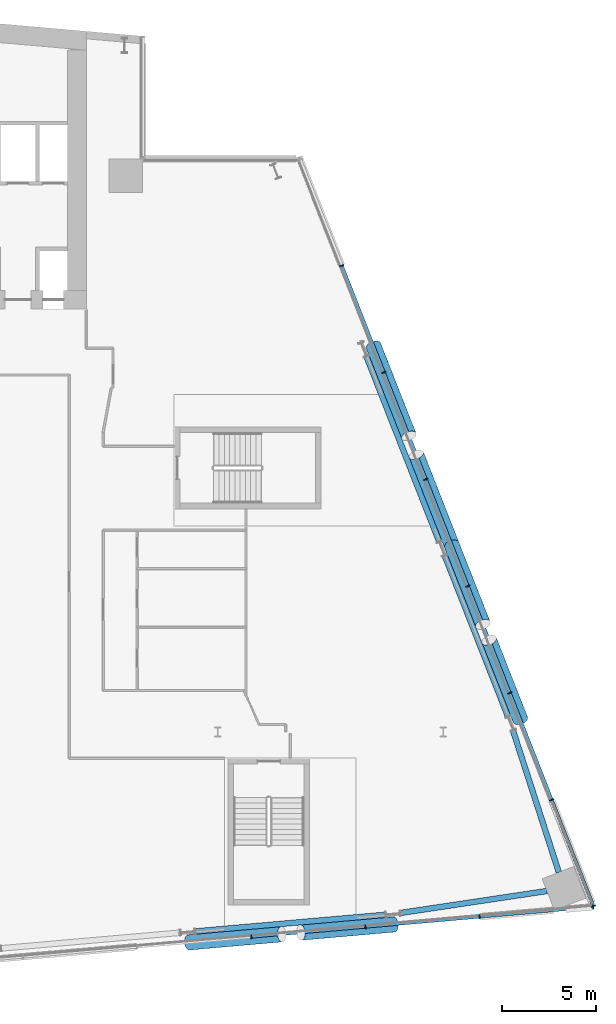
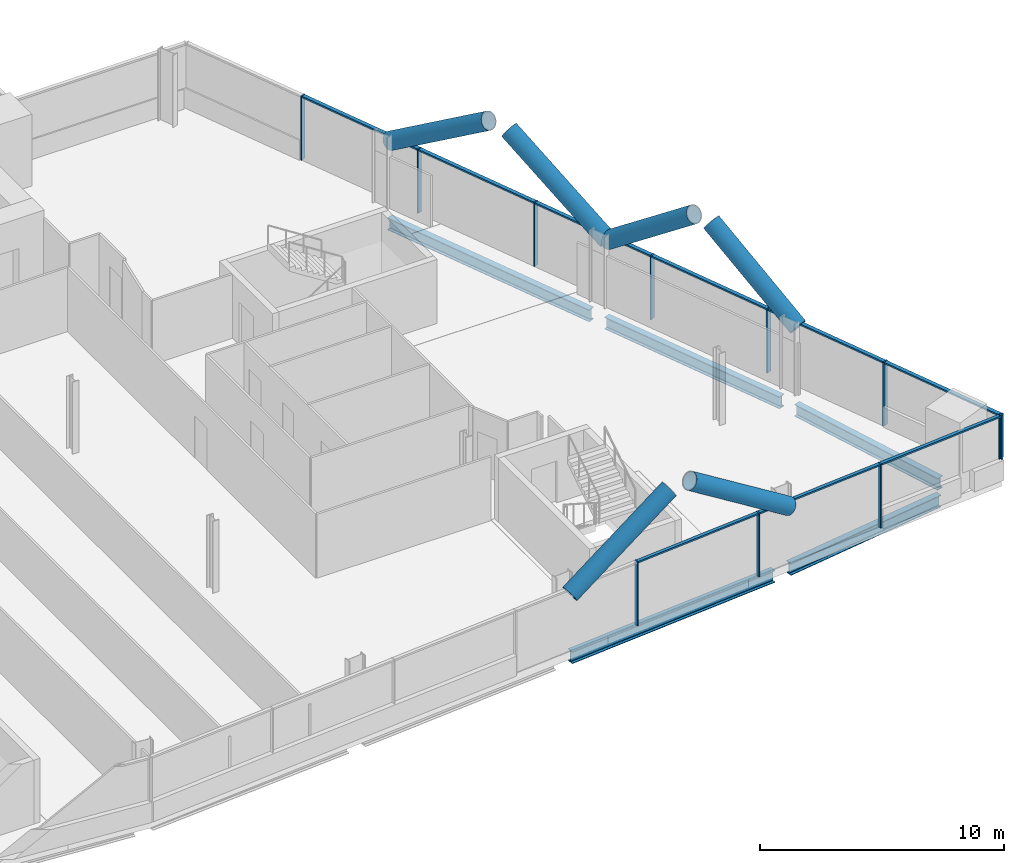
# One storey, part 10 of 25: 26 members, 5 beams, 2 elements without a shape of their own.
"""IFC4 building model written with IfcOpenShell, lengths in metres."""

from ifc_helpers import new_model, si_unit, direction, frame, origin, origin_2d, place, context, subcontext, project, spatial, rectangle, hollow_circle, i_section, extrude, material, material_profile, profile_set, type_object, element, aggregate, save


model = new_model("IFC4")

# Units and contexts
model_context = context("Model", 3, precision=1e-05, world=origin(), true_north=direction((0.0, 1.0)))
body_context = subcontext(model_context, "Body", "Model", "MODEL_VIEW")
ifc_project = project(units=[si_unit("LENGTHUNIT", "METRE"), si_unit("AREAUNIT", "SQUARE_METRE"), si_unit("VOLUMEUNIT", "CUBIC_METRE"), si_unit("PLANEANGLEUNIT", "RADIAN"), si_unit("MASSUNIT", "GRAM", prefix="KILO")], contexts=[model_context])

# Site, building, storey
site_placement = place(None, origin())
site = spatial("IfcSite", under=ifc_project, at=site_placement, CompositionType="ELEMENT")
building_placement = place(site_placement, origin())
building = spatial("IfcBuilding", under=site, at=building_placement, Name="Wharfspan Tower", CompositionType="ELEMENT")
storey_placement = place(building_placement, frame((0.0, 0.0, 129.100098)))
storey = spatial("IfcBuildingStorey", under=building, at=storey_placement, Name="L30", CompositionType="ELEMENT", Elevation=129.100098)

# Beams
ifc_material_1 = material(Name="Steel S355J2", Category="steel")
ifc_material_profile_1 = material_profile(ifc_material_1, i_section(OverallWidth=0.300049, OverallDepth=0.600098, WebThickness=0.015381, FlangeThickness=0.030029, FilletRadius=0.0271, at=origin_2d()))
ifc_profile_set_1 = profile_set([ifc_material_profile_1], Name="Steel S355J2")
beam_type = type_object("IfcBeamType", Name="Edge beam HEB 600", PredefinedType="SPANDREL", material=ifc_profile_set_1)
beam_1_placement = place(storey_placement, frame((70.805664, 0.887695, -0.700195), z_axis=(0.996194, 0.087159, 0.0), x_axis=(-0.087159, 0.996194, 0.0)))
element("IfcBeam", 1, at=beam_1_placement, inside=storey, type_object=beam_type, Name="Edge beam S2 L30 PS2.2 to PS2.3", PredefinedType="SPANDREL", context=body_context, shape_type="SweptSolid", body=[
    extrude(i_section(OverallWidth=0.300049, OverallDepth=0.600098, WebThickness=0.015381, FlangeThickness=0.030029, FilletRadius=0.0271, at=origin_2d()), origin(), (0.0, 0.0, 1.0), 10.159424),
])
beam_2_placement = place(storey_placement, frame((81.727295, 1.868408, -0.700195), z_axis=(0.988926, 0.148412, 0.0), x_axis=(-0.148412, 0.988926, 0.0)))
element("IfcBeam", 2, at=beam_2_placement, inside=storey, type_object=beam_type, Name="Edge beam S2 L30 PS2.3 to MC4", PredefinedType="SPANDREL", context=body_context, shape_type="SweptSolid", body=[
    extrude(i_section(OverallWidth=0.300049, OverallDepth=0.600098, WebThickness=0.015381, FlangeThickness=0.030029, FilletRadius=0.0271, at=origin_2d()), origin(), (0.0, 0.0, 1.0), 7.87793),
])
beam_3_placement = place(storey_placement, frame((90.150879, 4.02832, -0.700195), z_axis=(-0.307851, 0.951434, 0.0), x_axis=(-0.951434, -0.307851, 0.0)))
element("IfcBeam", 3, at=beam_3_placement, inside=storey, type_object=beam_type, Name="Edge beam E L30 MC4 to PE.1", PredefinedType="SPANDREL", context=body_context, shape_type="SweptSolid", body=[
    extrude(i_section(OverallWidth=0.300049, OverallDepth=0.600098, WebThickness=0.015381, FlangeThickness=0.030029, FilletRadius=0.0271, at=origin_2d()), origin(), (0.0, 0.0, 1.0), 7.924805),
])
beam_4_placement = place(storey_placement, frame((87.439453, 12.327637, -0.700195), z_axis=(-0.365779, 0.930702, 0.0), x_axis=(-0.930702, -0.365779, 0.0)))
element("IfcBeam", 4, at=beam_4_placement, inside=storey, type_object=beam_type, Name="Edge beam E L30 PE.1 to PE.2", PredefinedType="SPANDREL", context=body_context, shape_type="SweptSolid", body=[
    extrude(i_section(OverallWidth=0.300049, OverallDepth=0.600098, WebThickness=0.015381, FlangeThickness=0.030029, FilletRadius=0.0271, at=origin_2d()), origin(), (0.0, 0.0, 1.0), 9.184814),
])
beam_5_placement = place(storey_placement, frame((83.785156, 21.625977, -0.700195), z_axis=(-0.365789, 0.930698, 0.0), x_axis=(-0.930698, -0.365789, 0.0)))
element("IfcBeam", 5, at=beam_5_placement, inside=storey, type_object=beam_type, Name="Edge beam E L30 PE.2 to PE.3", PredefinedType="SPANDREL", context=body_context, shape_type="SweptSolid", body=[
    extrude(i_section(OverallWidth=0.300049, OverallDepth=0.600098, WebThickness=0.015381, FlangeThickness=0.030029, FilletRadius=0.0271, at=origin_2d()), origin(), (0.0, 0.0, 1.0), 10.584961),
])

# Curtain wall, members
ifc_material_2 = material(Name="Aluminium 6063-T6", Category="aluminium")
curtain_wall_type_1 = type_object("IfcCurtainWallType", Name="CURTAIN WALL FACETED FRONT", PredefinedType="NOTDEFINED", material=ifc_material_2)
curtain_wall_1_placement = place(storey_placement, origin())
curtain_wall_1 = element("IfcCurtainWall", 6, at=curtain_wall_1_placement, inside=storey, type_object=curtain_wall_type_1, Name="Curtain wall S2", PredefinedType="NOTDEFINED")
ifc_material_profile_2 = material_profile(ifc_material_2, rectangle(XDim=0.199951, YDim=0.060059, at=origin_2d()))
ifc_profile_set_2 = profile_set([ifc_material_profile_2], Name="Aluminium 6063-T6")
member_type_1 = type_object("IfcMemberType", Name="MULLION FACETED FRONT 60x200", PredefinedType="MULLION", material=ifc_profile_set_2)
member_1_placement = place(storey_placement, frame((73.785645, 0.606445, 0.0), z_axis=(0.0, 0.0, 1.0), x_axis=(-0.087156, 0.996198, 0.0)))
member_1 = element("IfcMember", 7, at=member_1_placement, type_object=member_type_1, Name="Curtain wall S2 mullion 5", PredefinedType="MULLION", context=body_context, shape_type="SweptSolid", body=[
    extrude(rectangle(XDim=0.199951, YDim=0.060059, at=origin_2d()), origin(), (0.0, 0.0, 1.0), 3.199951),
])
member_2_placement = place(storey_placement, frame((79.857178, 1.137695, 0.0), z_axis=(0.0, 0.0, 1.0), x_axis=(-0.087156, 0.996198, 0.0)))
member_2 = element("IfcMember", 8, at=member_2_placement, type_object=member_type_1, Name="Curtain wall S2 mullion 6", PredefinedType="MULLION", context=body_context, shape_type="SweptSolid", body=[
    extrude(rectangle(XDim=0.199951, YDim=0.060059, at=origin_2d()), origin(), (0.0, 0.0, 1.0), 3.199951),
])
member_3_placement = place(storey_placement, frame((85.928467, 1.668701, 0.0), z_axis=(0.0, 0.0, 1.0), x_axis=(-0.087156, 0.996198, 0.0)))
member_3 = element("IfcMember", 9, at=member_3_placement, type_object=member_type_1, Name="Curtain wall S2 mullion 7", PredefinedType="MULLION", context=body_context, shape_type="SweptSolid", body=[
    extrude(rectangle(XDim=0.199951, YDim=0.060059, at=origin_2d()), origin(), (0.0, 0.0, 1.0), 3.199951),
])
member_4_placement = place(storey_placement, frame((91.970215, 2.197266, 1.0), z_axis=(0.0, 0.0, 1.0), x_axis=(-0.087156, 0.996198, 0.0)))
member_4 = element("IfcMember", 10, at=member_4_placement, type_object=member_type_1, Name="Curtain wall S2 mullion 8", PredefinedType="MULLION", context=body_context, shape_type="SweptSolid", body=[
    extrude(rectangle(XDim=0.199951, YDim=0.060059, at=origin_2d()), origin(), (0.0, 0.0, 1.0), 2.199951),
])

curtain_wall_type_2 = type_object("IfcCurtainWallType", Name="CURTAIN WALL PROW AND END", PredefinedType="NOTDEFINED", material=ifc_material_2)
curtain_wall_2_placement = place(storey_placement, origin())
curtain_wall_2 = element("IfcCurtainWall", 11, at=curtain_wall_2_placement, inside=storey, type_object=curtain_wall_type_2, Name="Curtain wall E", PredefinedType="NOTDEFINED")
ifc_material_profile_3 = material_profile(ifc_material_2, rectangle(XDim=0.23999, YDim=0.060059, at=origin_2d()))
ifc_profile_set_3 = profile_set([ifc_material_profile_3], Name="Aluminium 6063-T6")
member_type_2 = type_object("IfcMemberType", Name="MULLION PROW AND END 60x240", PredefinedType="MULLION", material=ifc_profile_set_3)
member_5_placement = place(storey_placement, frame((91.989014, 2.228027, 1.0), z_axis=(0.0, 0.0, 1.0), x_axis=(-0.930702, -0.365778, 0.0)))
member_5 = element("IfcMember", 12, at=member_5_placement, type_object=member_type_2, Name="Curtain wall E mullion 1", PredefinedType="MULLION", context=body_context, shape_type="SweptSolid", body=[
    extrude(rectangle(XDim=0.23999, YDim=0.060059, at=origin_2d()), origin(), (0.0, 0.0, 1.0), 2.199951),
])
member_6_placement = place(storey_placement, frame((89.765381, 7.885742, 0.0), z_axis=(0.0, 0.0, 1.0), x_axis=(-0.930702, -0.365778, 0.0)))
member_6 = element("IfcMember", 13, at=member_6_placement, type_object=member_type_2, Name="Curtain wall E mullion 2", PredefinedType="MULLION", context=body_context, shape_type="SweptSolid", body=[
    extrude(rectangle(XDim=0.23999, YDim=0.060059, at=origin_2d()), origin(), (0.0, 0.0, 1.0), 3.199951),
])
member_7_placement = place(storey_placement, frame((87.530762, 13.571533, 0.0), z_axis=(0.0, 0.0, 1.0), x_axis=(-0.930702, -0.365778, 0.0)))
member_7 = element("IfcMember", 14, at=member_7_placement, type_object=member_type_2, Name="Curtain wall E mullion 3", PredefinedType="MULLION", context=body_context, shape_type="SweptSolid", body=[
    extrude(rectangle(XDim=0.23999, YDim=0.060059, at=origin_2d()), origin(), (0.0, 0.0, 1.0), 3.199951),
])
member_8_placement = place(storey_placement, frame((85.296387, 19.25708, 0.0), z_axis=(0.0, 0.0, 1.0), x_axis=(-0.930702, -0.365778, 0.0)))
member_8 = element("IfcMember", 15, at=member_8_placement, type_object=member_type_2, Name="Curtain wall E mullion 4", PredefinedType="MULLION", context=body_context, shape_type="SweptSolid", body=[
    extrude(rectangle(XDim=0.23999, YDim=0.060059, at=origin_2d()), origin(), (0.0, 0.0, 1.0), 3.199951),
])
member_9_placement = place(storey_placement, frame((83.061768, 24.942871, 0.0), z_axis=(0.0, 0.0, 1.0), x_axis=(-0.930702, -0.365778, 0.0)))
member_9 = element("IfcMember", 16, at=member_9_placement, type_object=member_type_2, Name="Curtain wall E mullion 5", PredefinedType="MULLION", context=body_context, shape_type="SweptSolid", body=[
    extrude(rectangle(XDim=0.23999, YDim=0.060059, at=origin_2d()), origin(), (0.0, 0.0, 1.0), 3.199951),
])
member_10_placement = place(storey_placement, frame((80.827148, 30.628662, 0.0), z_axis=(0.0, 0.0, 1.0), x_axis=(-0.930702, -0.365778, 0.0)))
member_10 = element("IfcMember", 17, at=member_10_placement, type_object=member_type_2, Name="Curtain wall E mullion 6", PredefinedType="MULLION", context=body_context, shape_type="SweptSolid", body=[
    extrude(rectangle(XDim=0.23999, YDim=0.060059, at=origin_2d()), origin(), (0.0, 0.0, 1.0), 3.199951),
])
member_11_placement = place(storey_placement, frame((78.592529, 36.314209, 0.0), z_axis=(0.0, 0.0, 1.0), x_axis=(-0.930702, -0.365778, 0.0)))
member_11 = element("IfcMember", 18, at=member_11_placement, type_object=member_type_2, Name="Curtain wall E mullion 7", PredefinedType="MULLION", context=body_context, shape_type="SweptSolid", body=[
    extrude(rectangle(XDim=0.23999, YDim=0.060059, at=origin_2d()), origin(), (0.0, 0.0, 1.0), 3.199951),
])

# Members
ifc_material_3 = material(Name="Steel S460NH", Category="steel")
ifc_material_profile_4 = material_profile(ifc_material_3, hollow_circle(Radius=0.406494, WallThickness=0.040039, at=origin_2d()))
ifc_profile_set_4 = profile_set([ifc_material_profile_4], Name="Steel S460NH")
member_type_3 = type_object("IfcMemberType", Name="Mega brace CHS 813x40", PredefinedType="BRACE", material=ifc_profile_set_4)
member_12_placement = place(storey_placement, frame((70.452393, 0.299805, 2.899902), z_axis=(0.832734, 0.072869, 0.548858), x_axis=(-0.087173, 0.99619, 1e-06)))
element("IfcMember", 19, at=member_12_placement, inside=storey, type_object=member_type_3, Name="Mega brace S2 L31 part 1", PredefinedType="BRACE", context=body_context, shape_type="SweptSolid", body=[
    extrude(hollow_circle(Radius=0.406494, WallThickness=0.040039, at=origin_2d()), origin(), (0.0, 0.0, 1.0), 5.943604),
])
member_13_placement = place(storey_placement, frame((81.376221, 1.255371, 2.899902), z_axis=(-0.832724, -0.07283, 0.548878), x_axis=(0.087128, -0.996197, 1e-06)))
element("IfcMember", 20, at=member_13_placement, inside=storey, type_object=member_type_3, Name="Mega brace S2 L31 part 3", PredefinedType="BRACE", context=body_context, shape_type="SweptSolid", body=[
    extrude(hollow_circle(Radius=0.406494, WallThickness=0.040039, at=origin_2d()), origin(), (0.0, 0.0, 1.0), 5.943359),
])
member_14_placement = place(storey_placement, frame((84.448975, 21.454102, 2.899902), z_axis=(-0.309187, 0.786719, 0.534301), x_axis=(-0.930704, -0.365777, 4e-06)))
element("IfcMember", 21, at=member_14_placement, inside=storey, type_object=member_type_3, Name="Mega brace E5 L31 part 1", PredefinedType="BRACE", context=body_context, shape_type="SweptSolid", body=[
    extrude(hollow_circle(Radius=0.406494, WallThickness=0.040039, at=origin_2d()), origin(), (0.0, 0.0, 1.0), 6.098145),
])
member_15_placement = place(storey_placement, frame((80.282471, 32.05542, 2.899902), z_axis=(0.309223, -0.786709, 0.534294), x_axis=(0.930685, 0.365812, -3e-06)))
element("IfcMember", 22, at=member_15_placement, inside=storey, type_object=member_type_3, Name="Mega brace E5 L31 part 3", PredefinedType="BRACE", context=body_context, shape_type="SweptSolid", body=[
    extrude(hollow_circle(Radius=0.406494, WallThickness=0.040039, at=origin_2d()), origin(), (0.0, 0.0, 1.0), 6.098389),
])
member_16_placement = place(storey_placement, frame((88.103516, 12.155518, 2.899902), z_axis=(-0.29676, 0.755051, 0.584664), x_axis=(-0.930695, -0.365797, 4e-06)))
element("IfcMember", 23, at=member_16_placement, inside=storey, type_object=member_type_3, Name="Mega brace E6 L31 part 1", PredefinedType="BRACE", context=body_context, shape_type="SweptSolid", body=[
    extrude(hollow_circle(Radius=0.406494, WallThickness=0.040039, at=origin_2d()), origin(), (0.0, 0.0, 1.0), 5.59668),
])
member_17_placement = place(storey_placement, frame((84.448975, 21.454102, 2.899902), z_axis=(0.29675, -0.75507, 0.584645), x_axis=(0.930704, 0.365779, 4e-06)))
element("IfcMember", 24, at=member_17_placement, inside=storey, type_object=member_type_3, Name="Mega brace E6 L31 part 3", PredefinedType="BRACE", context=body_context, shape_type="SweptSolid", body=[
    extrude(hollow_circle(Radius=0.406494, WallThickness=0.040039, at=origin_2d()), origin(), (0.0, 0.0, 1.0), 5.596924),
])

# Member
ifc_material_profile_5 = material_profile(ifc_material_2, rectangle(XDim=0.159912, YDim=0.080078, at=origin_2d()))
ifc_profile_set_5 = profile_set([ifc_material_profile_5], Name="Aluminium 6063-T6")
member_type_4 = type_object("IfcMemberType", Name="TRANSOM FACETED FRONT 80x160", PredefinedType="USERDEFINED", material=ifc_profile_set_5)
member_18_placement = place(storey_placement, frame((73.815674, 0.609131, 3.159912), z_axis=(0.996196, 0.087146, 0.0), x_axis=(-0.087146, 0.996196, 0.0)))
member_18 = element("IfcMember", 25, at=member_18_placement, type_object=member_type_4, Name="Curtain wall S2 transom 5", ObjectType="TRANSOM", PredefinedType="USERDEFINED", context=body_context, shape_type="SweptSolid", body=[
    extrude(rectangle(XDim=0.159912, YDim=0.080078, at=origin_2d()), origin(), (0.0, 0.0, 1.0), 6.034424),
])

member_19_placement = place(storey_placement, frame((79.886963, 1.140137, 3.159912), z_axis=(0.996192, 0.087183, 0.0), x_axis=(-0.087183, 0.996192, 0.0)))
member_19 = element("IfcMember", 26, at=member_19_placement, type_object=member_type_4, Name="Curtain wall S2 transom 6", ObjectType="TRANSOM", PredefinedType="USERDEFINED", context=body_context, shape_type="SweptSolid", body=[
    extrude(rectangle(XDim=0.159912, YDim=0.080078, at=origin_2d()), origin(), (0.0, 0.0, 1.0), 6.034668),
])

member_20_placement = place(storey_placement, frame((85.958496, 1.671387, 3.159912), z_axis=(0.996193, 0.087174, 0.0), x_axis=(-0.087174, 0.996193, 0.0)))
member_20 = element("IfcMember", 27, at=member_20_placement, type_object=member_type_4, Name="Curtain wall S2 transom 7", ObjectType="TRANSOM", PredefinedType="USERDEFINED", context=body_context, shape_type="SweptSolid", body=[
    extrude(rectangle(XDim=0.159912, YDim=0.080078, at=origin_2d()), origin(), (0.0, 0.0, 1.0), 6.004639),
])

aggregate(curtain_wall_1, [member_1, member_2, member_3, member_4, member_18, member_19, member_20])

ifc_material_profile_6 = material_profile(ifc_material_2, rectangle(XDim=0.179932, YDim=0.080078, at=origin_2d()))
ifc_profile_set_6 = profile_set([ifc_material_profile_6], Name="Aluminium 6063-T6")
member_type_5 = type_object("IfcMemberType", Name="TRANSOM PROW AND END 80x180", PredefinedType="USERDEFINED", material=ifc_profile_set_6)
member_21_placement = place(storey_placement, frame((91.978027, 2.255859, 3.159912), z_axis=(-0.365775, 0.930703, 0.0), x_axis=(-0.930703, -0.365775, 0.0)))
member_21 = element("IfcMember", 28, at=member_21_placement, type_object=member_type_5, Name="Curtain wall E transom 1", ObjectType="TRANSOM", PredefinedType="USERDEFINED", context=body_context, shape_type="SweptSolid", body=[
    extrude(rectangle(XDim=0.179932, YDim=0.080078, at=origin_2d()), origin(), (0.0, 0.0, 1.0), 6.019043),
])

member_22_placement = place(storey_placement, frame((89.754395, 7.913574, 3.159912), z_axis=(-0.365782, 0.9307, 0.0), x_axis=(-0.9307, -0.365782, 0.0)))
member_22 = element("IfcMember", 29, at=member_22_placement, type_object=member_type_5, Name="Curtain wall E transom 2", ObjectType="TRANSOM", PredefinedType="USERDEFINED", context=body_context, shape_type="SweptSolid", body=[
    extrude(rectangle(XDim=0.179932, YDim=0.080078, at=origin_2d()), origin(), (0.0, 0.0, 1.0), 6.049072),
])

member_23_placement = place(storey_placement, frame((87.52002, 13.599365, 3.159912), z_axis=(-0.365782, 0.9307, 0.0), x_axis=(-0.9307, -0.365782, 0.0)))
member_23 = element("IfcMember", 30, at=member_23_placement, type_object=member_type_5, Name="Curtain wall E transom 3", ObjectType="TRANSOM", PredefinedType="USERDEFINED", context=body_context, shape_type="SweptSolid", body=[
    extrude(rectangle(XDim=0.179932, YDim=0.080078, at=origin_2d()), origin(), (0.0, 0.0, 1.0), 6.049072),
])

member_24_placement = place(storey_placement, frame((85.2854, 19.285156, 3.159912), z_axis=(-0.365782, 0.9307, 0.0), x_axis=(-0.9307, -0.365782, 0.0)))
member_24 = element("IfcMember", 31, at=member_24_placement, type_object=member_type_5, Name="Curtain wall E transom 4", ObjectType="TRANSOM", PredefinedType="USERDEFINED", context=body_context, shape_type="SweptSolid", body=[
    extrude(rectangle(XDim=0.179932, YDim=0.080078, at=origin_2d()), origin(), (0.0, 0.0, 1.0), 6.049072),
])

member_25_placement = place(storey_placement, frame((83.050781, 24.970703, 3.159912), z_axis=(-0.365782, 0.9307, 0.0), x_axis=(-0.9307, -0.365782, 0.0)))
member_25 = element("IfcMember", 32, at=member_25_placement, type_object=member_type_5, Name="Curtain wall E transom 5", ObjectType="TRANSOM", PredefinedType="USERDEFINED", context=body_context, shape_type="SweptSolid", body=[
    extrude(rectangle(XDim=0.179932, YDim=0.080078, at=origin_2d()), origin(), (0.0, 0.0, 1.0), 6.049072),
])

member_26_placement = place(storey_placement, frame((80.816162, 30.656494, 3.159912), z_axis=(-0.365782, 0.9307, 0.0), x_axis=(-0.9307, -0.365782, 0.0)))
member_26 = element("IfcMember", 33, at=member_26_placement, type_object=member_type_5, Name="Curtain wall E transom 6", ObjectType="TRANSOM", PredefinedType="USERDEFINED", context=body_context, shape_type="SweptSolid", body=[
    extrude(rectangle(XDim=0.179932, YDim=0.080078, at=origin_2d()), origin(), (0.0, 0.0, 1.0), 6.049072),
])

aggregate(curtain_wall_2, [member_5, member_6, member_7, member_8, member_9, member_10, member_11, member_21, member_22, member_23, member_24, member_25, member_26])

save(model, "model.ifc")
